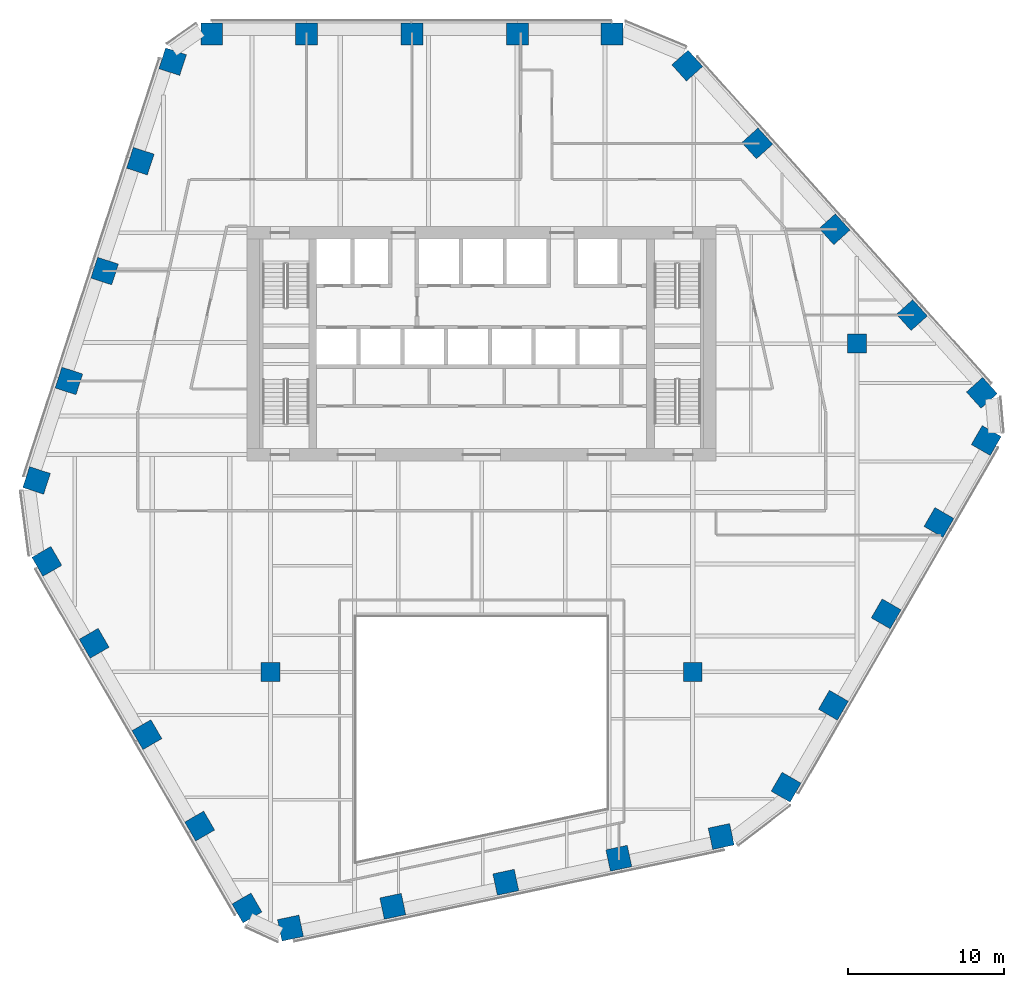
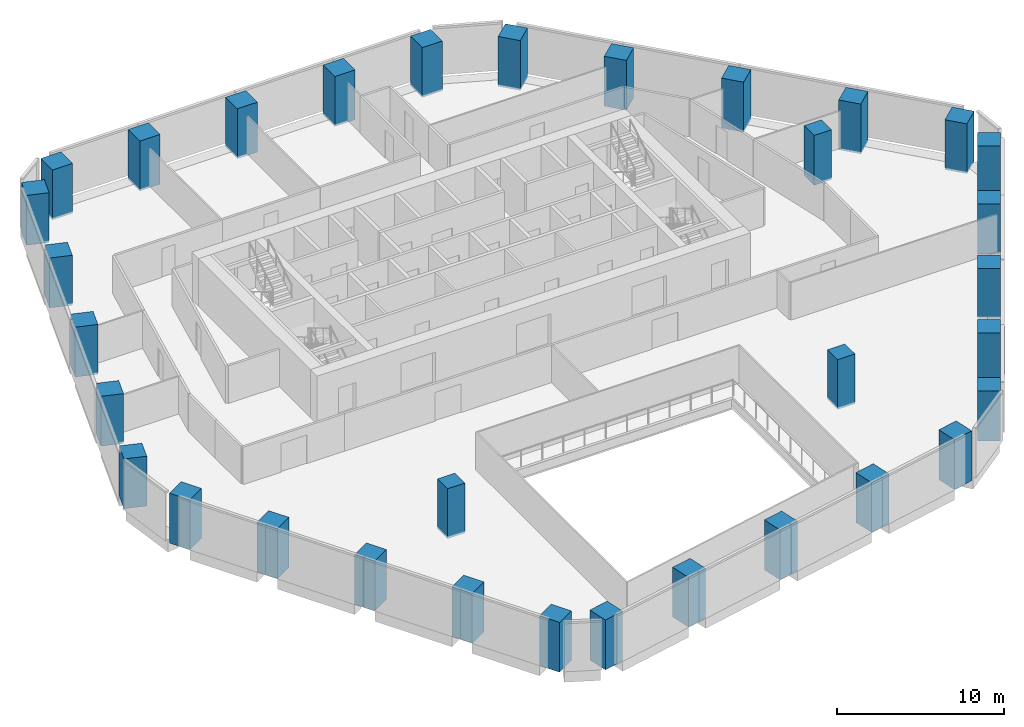
# One storey, part 1 of 16: 33 columns.
"""IFC4 building model written with IfcOpenShell, lengths in metres."""

from ifc_helpers import new_model, si_unit, direction, frame, origin, origin_2d, place, context, subcontext, project, spatial, rectangle, extrude, material, material_profile, profile_set, type_object, element, save


model = new_model("IFC4")

# Units and contexts
model_context = context("Model", 3, precision=1e-05, world=origin(), true_north=direction((0.0, 1.0)))
body_context = subcontext(model_context, "Body", "Model", "MODEL_VIEW")
ifc_project = project(units=[si_unit("LENGTHUNIT", "METRE"), si_unit("AREAUNIT", "SQUARE_METRE"), si_unit("VOLUMEUNIT", "CUBIC_METRE"), si_unit("PLANEANGLEUNIT", "RADIAN"), si_unit("MASSUNIT", "GRAM", prefix="KILO")], contexts=[model_context])

# Site, building, storey
site_placement = place(None, origin())
site = spatial("IfcSite", under=ifc_project, at=site_placement, CompositionType="ELEMENT")
building_placement = place(site_placement, origin())
building = spatial("IfcBuilding", under=site, at=building_placement, Name="Isthmus Gate Tower", CompositionType="ELEMENT")
storey_placement = place(building_placement, frame((0.0, 0.0, 137.10009765625)))
storey = spatial("IfcBuildingStorey", under=building, at=storey_placement, Name="L33", CompositionType="ELEMENT", Elevation=137.10009765625)

# Columns
ifc_material_1 = material(Name="Concrete f'c 60 MPa", Category="concrete")
ifc_material_profile_1 = material_profile(ifc_material_1, rectangle(XDim=1.199951171875, YDim=1.199951171875, at=origin_2d()), Name="RC 1200X1200")
ifc_profile_set_1 = profile_set([ifc_material_profile_1], Name="Concrete f'c 60 MPa")
column_type_1 = type_object("IfcColumnType", Name="RC INTERIOR COLUMN 1200 X 1200", PredefinedType="COLUMN", material=ifc_profile_set_1)
for number, where, z_axis, x_axis, name in (
    (1, (-13.5, -13.5, -0.150146484375), (0.0, 0.0, 1.0), (1.0, 0.0, 0.0), "str-icol-L33-ICB2"),
    (2, (13.5, -13.5, -0.150146484375), (0.0, 0.0, 1.0), (1.0, 0.0, 0.0), "str-icol-L33-ICD2"),
    (3, (24.0, 7.5, -0.150146484375), (0.0, 0.0, 1.0), (1.0, 0.0, 0.0), "str-icol-L33-ICE3"),
):
    element("IfcColumn", number, at=place(storey_placement, frame(where, z_axis=z_axis, x_axis=x_axis)), inside=storey, type_object=column_type_1, Name=name, PredefinedType="COLUMN", context=body_context, shape_type="SweptSolid", body=[
        extrude(rectangle(XDim=1.199951171875, YDim=1.199951171875, at=origin_2d()), origin(), (0.0, 0.0, 1.0), 3.650146484375),
    ])
ifc_material_2 = material(Name="Concrete f'c 60 MPa", Category="concrete")
ifc_material_profile_2 = material_profile(ifc_material_2, rectangle(XDim=1.39990234375, YDim=1.39990234375, at=origin_2d()), Name="RC 1400X1400")
ifc_profile_set_2 = profile_set([ifc_material_profile_2], Name="Concrete f'c 60 MPa")
column_type_2 = type_object("IfcColumnType", Name="RC TUBE COLUMN 1400 X 1400", PredefinedType="COLUMN", material=ifc_profile_set_2)
for number, where, z_axis, x_axis, name in (
    (4, (8.338623046875, 27.300048828125, -0.150146484375), (0.0, 0.0, 1.0), (-1.0, 0.0, 0.0), "str-tcol-L33-T2N0"),
    (5, (2.288330078125, 27.300048828125, -0.150146484375), (0.0, 0.0, 1.0), (-1.0, 0.0, 0.0), "str-tcol-L33-T2N1"),
    (6, (-4.461669921875, 27.300048828125, -0.150146484375), (0.0, 0.0, 1.0), (-1.0, 0.0, 0.0), "str-tcol-L33-T2N2"),
    (7, (-11.2119140625, 27.300048828125, -0.150146484375), (0.0, 0.0, 1.0), (-1.0, 0.0, 0.0), "str-tcol-L33-T2N3"),
    (8, (-17.261962890625, 27.300048828125, -0.150146484375), (0.0, 0.0, 1.0), (-1.0, 0.0, 0.0), "str-tcol-L33-T2N4"),
    (9, (-19.765380859375, 25.532958984375, -0.150146484375), (0.0, 0.0, 1.0), (-0.309016994375, -0.951056516295, 0.0), "str-tcol-L33-T2NW0"),
    (10, (-21.8330078125, 19.169677734375, -0.150146484375), (0.0, 0.0, 1.0), (-0.309016994375, -0.951056516295, 0.0), "str-tcol-L33-T2NW1"),
    (11, (-24.116943359375, 12.140625, -0.150146484375), (0.0, 0.0, 1.0), (-0.309016994375, -0.951056516295, 0.0), "str-tcol-L33-T2NW2"),
    (12, (-26.400634765625, 5.111328125, -0.150146484375), (0.0, 0.0, 1.0), (-0.309016994375, -0.951056516295, 0.0), "str-tcol-L33-T2NW3"),
    (13, (-28.46826171875, -1.251953125, -0.150146484375), (0.0, 0.0, 1.0), (-0.309016994375, -0.951056516295, 0.0), "str-tcol-L33-T2NW4"),
    (14, (-27.811767578125, -6.4287109375, -0.150146484375), (0.0, 0.0, 1.0), (0.5, -0.866025403784, 0.0), "str-tcol-L33-T2SW0"),
    (15, (-24.78662109375, -11.668212890625, -0.150146484375), (0.0, 0.0, 1.0), (0.5, -0.866025403784, 0.0), "str-tcol-L33-T2SW1"),
    (16, (-21.41162109375, -17.513916015625, -0.150146484375), (0.0, 0.0, 1.0), (0.5, -0.866025403784, 0.0), "str-tcol-L33-T2SW2"),
    (17, (-18.03662109375, -23.359619140625, -0.150146484375), (0.0, 0.0, 1.0), (0.5, -0.866025403784, 0.0), "str-tcol-L33-T2SW3"),
    (18, (-15.011474609375, -28.599365234375, -0.150146484375), (0.0, 0.0, 1.0), (0.5, -0.866025403784, 0.0), "str-tcol-L33-T2SW4"),
    (19, (-12.2294921875, -29.8837890625, -0.150146484375), (0.0, 0.0, 1.0), (0.978147600734, 0.207911690818, 0.0), "str-tcol-L33-T2S0"),
    (20, (-5.684814453125, -28.49267578125, -0.150146484375), (0.0, 0.0, 1.0), (0.978147600734, 0.207911690818, 0.0), "str-tcol-L33-T2S1"),
    (21, (1.54443359375, -26.9560546875, -0.150146484375), (0.0, 0.0, 1.0), (0.978147600734, 0.207911690818, 0.0), "str-tcol-L33-T2S2"),
    (22, (8.773681640625, -25.41943359375, -0.150146484375), (0.0, 0.0, 1.0), (0.978147600734, 0.207911690818, 0.0), "str-tcol-L33-T2S3"),
    (23, (15.318359375, -24.0283203125, -0.150146484375), (0.0, 0.0, 1.0), (0.978147600734, 0.207911690818, 0.0), "str-tcol-L33-T2S4"),
    (24, (19.47314453125, -20.871337890625, -0.150146484375), (0.0, 0.0, 1.0), (0.5, 0.866025403784, 0.0), "str-tcol-L33-T2SE0"),
    (25, (22.498291015625, -15.6318359375, -0.150146484375), (0.0, 0.0, 1.0), (0.5, 0.866025403784, 0.0), "str-tcol-L33-T2SE1"),
    (26, (25.873291015625, -9.7861328125, -0.150146484375), (0.0, 0.0, 1.0), (0.5, 0.866025403784, 0.0), "str-tcol-L33-T2SE2"),
    (27, (29.248291015625, -3.940185546875, -0.150146484375), (0.0, 0.0, 1.0), (0.5, 0.866025403784, 0.0), "str-tcol-L33-T2SE3"),
    (28, (32.2734375, 1.29931640625, -0.150146484375), (0.0, 0.0, 1.0), (0.5, 0.866025403784, 0.0), "str-tcol-L33-T2SE4"),
    (29, (31.994873046875, 4.350830078125, -0.150146484375), (0.0, 0.0, 1.0), (-0.669130606359, 0.743144825477, 0.0), "str-tcol-L33-T2NE0"),
    (30, (27.517822265625, 9.3232421875, -0.150146484375), (0.0, 0.0, 1.0), (-0.669130606359, 0.743144825477, 0.0), "str-tcol-L33-T2NE1"),
    (31, (22.572509765625, 14.815673828125, -0.150146484375), (0.0, 0.0, 1.0), (-0.669130606359, 0.743144825477, 0.0), "str-tcol-L33-T2NE2"),
    (32, (17.626953125, 20.30810546875, -0.150146484375), (0.0, 0.0, 1.0), (-0.669130606359, 0.743144825477, 0.0), "str-tcol-L33-T2NE3"),
    (33, (13.14990234375, 25.2802734375, -0.150146484375), (0.0, 0.0, 1.0), (-0.669130606359, 0.743144825477, 0.0), "str-tcol-L33-T2NE4"),
):
    element("IfcColumn", number, at=place(storey_placement, frame(where, z_axis=z_axis, x_axis=x_axis)), inside=storey, type_object=column_type_2, Name=name, PredefinedType="COLUMN", context=body_context, shape_type="SweptSolid", body=[
        extrude(rectangle(XDim=1.39990234375, YDim=1.39990234375, at=origin_2d()), origin(), (0.0, 0.0, 1.0), 3.650146484375),
    ])

save(model, "model.ifc")
